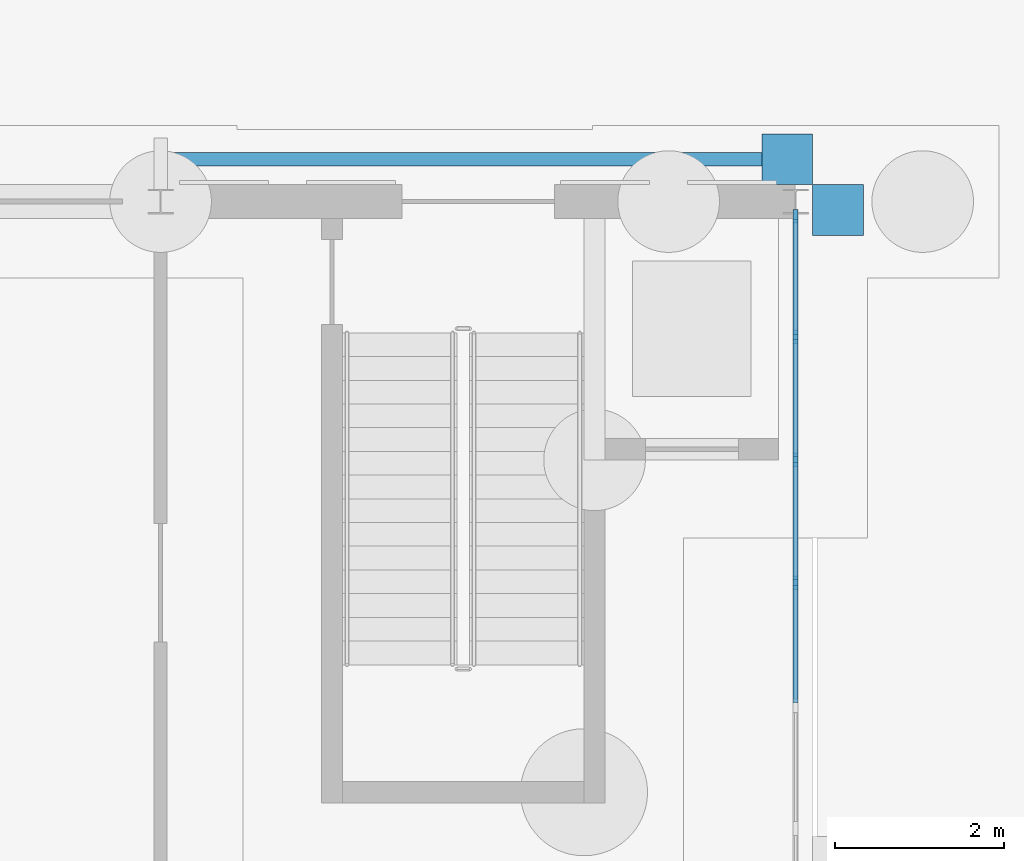
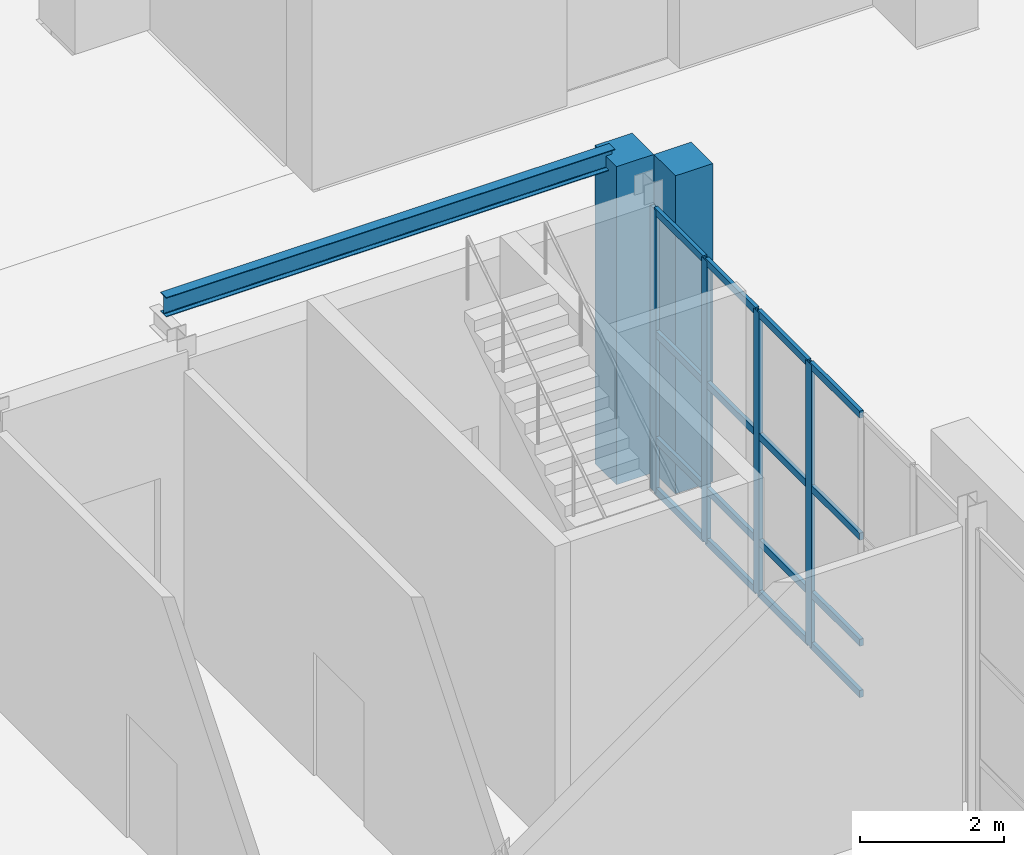
# One storey, part 63 of 168: 22 members, 1 beam, 1 element without a shape of its own.
"""IFC4 building model written with IfcOpenShell, lengths in metres."""

from ifc_helpers import new_model, si_unit, direction, frame, origin, origin_2d, place, context, subcontext, project, spatial, rectangle, i_section, extrude, material, layer, layer_set, material_profile, profile_set, type_object, element, aggregate, save


model = new_model("IFC4")

# Units and contexts
model_context = context("Model", 3, precision=1e-05, world=origin(), true_north=direction((0.0, 1.0)))
body_context = subcontext(model_context, "Body", "Model", "MODEL_VIEW")
ifc_project = project(units=[si_unit("LENGTHUNIT", "METRE"), si_unit("AREAUNIT", "SQUARE_METRE"), si_unit("VOLUMEUNIT", "CUBIC_METRE"), si_unit("PLANEANGLEUNIT", "RADIAN"), si_unit("MASSUNIT", "GRAM", prefix="KILO")], contexts=[model_context])

# Site, building, storey
site_placement = place(None, origin())
site = spatial("IfcSite", under=ifc_project, at=site_placement, CompositionType="ELEMENT")
building_placement = place(site_placement, origin())
building = spatial("IfcBuilding", under=site, at=building_placement, Name="Golden Quay Civic Hall", CompositionType="ELEMENT")
storey_placement = place(building_placement, origin())
storey = spatial("IfcBuildingStorey", under=building, at=storey_placement, Name="L00", CompositionType="ELEMENT", Elevation=0.0)

# Curtain wall, members
ifc_material_1 = material(Name="Glass, laminated double glazed", Category="glass")
ifc_layer = layer(ifc_material_1, 0.199951171875)
ifc_layer_set = layer_set([ifc_layer], Name="Glazed core strip curtain wall")
curtain_wall_type = type_object("IfcCurtainWallType", Name="Glazed core strip curtain wall", PredefinedType="NOTDEFINED", material=ifc_layer_set)
curtain_wall_placement = place(storey_placement, origin())
curtain_wall = element("IfcCurtainWall", 1, at=curtain_wall_placement, inside=storey, type_object=curtain_wall_type, Name="Glazed core strip curtain wall L00 12", PredefinedType="NOTDEFINED")
ifc_material_2 = material(Name="Aluminium, anodised", Category="aluminium")
ifc_material_profile_1 = material_profile(ifc_material_2, rectangle(XDim=0.06005859375, YDim=0.159912109375, at=origin_2d()), Name="Aluminium 60 x 160")
ifc_profile_set_1 = profile_set([ifc_material_profile_1], Name="Aluminium, anodised")
member_type_1 = type_object("IfcMemberType", Name="Aluminium mullion 60 x 160", PredefinedType="MULLION", material=ifc_profile_set_1)
member_1_placement = place(storey_placement, frame((117.0, 53.824951171875, 0.0), z_axis=(0.0, 0.0, 1.0), x_axis=(1.0, 0.0, 0.0)))
member_1 = element("IfcMember", 2, at=member_1_placement, type_object=member_type_1, Name="CW2 mullion 1", PredefinedType="MULLION", context=body_context, shape_type="SweptSolid", body=[
    extrude(rectangle(XDim=0.06005859375, YDim=0.159912109375, at=origin_2d()), origin(), (0.0, 0.0, 1.0), 4.800048828125),
])
member_2_placement = place(storey_placement, frame((117.0, 52.4033203125, 0.0), z_axis=(0.0, 0.0, 1.0), x_axis=(1.0, 0.0, 0.0)))
member_2 = element("IfcMember", 3, at=member_2_placement, type_object=member_type_1, Name="CW2 mullion 2", PredefinedType="MULLION", context=body_context, shape_type="SweptSolid", body=[
    extrude(rectangle(XDim=0.06005859375, YDim=0.159912109375, at=origin_2d()), origin(), (0.0, 0.0, 1.0), 4.800048828125),
])
member_3_placement = place(storey_placement, frame((117.0, 50.95166015625, 0.0), z_axis=(0.0, 0.0, 1.0), x_axis=(1.0, 0.0, 0.0)))
member_3 = element("IfcMember", 4, at=member_3_placement, type_object=member_type_1, Name="CW2 mullion 3", PredefinedType="MULLION", context=body_context, shape_type="SweptSolid", body=[
    extrude(rectangle(XDim=0.06005859375, YDim=0.159912109375, at=origin_2d()), origin(), (0.0, 0.0, 1.0), 4.800048828125),
])
member_4_placement = place(storey_placement, frame((117.0, 49.5, 0.0), z_axis=(0.0, 0.0, 1.0), x_axis=(1.0, 0.0, 0.0)))
member_4 = element("IfcMember", 5, at=member_4_placement, type_object=member_type_1, Name="CW2 mullion 4", PredefinedType="MULLION", context=body_context, shape_type="SweptSolid", body=[
    extrude(rectangle(XDim=0.06005859375, YDim=0.159912109375, at=origin_2d()), origin(), (0.0, 0.0, 1.0), 4.800048828125),
])
ifc_material_3 = material(Name="Aluminium, anodised", Category="aluminium")
ifc_material_profile_2 = material_profile(ifc_material_3, rectangle(XDim=0.06005859375, YDim=0.1201171875, at=origin_2d()), Name="Aluminium 60 x 120")
ifc_profile_set_2 = profile_set([ifc_material_profile_2], Name="Aluminium, anodised")
member_type_2 = type_object("IfcMemberType", Name="Aluminium transom 60 x 120", PredefinedType="USERDEFINED", material=ifc_profile_set_2)
member_5_placement = place(storey_placement, frame((117.0, 53.794921875, 0.030029296875), z_axis=(0.0, -1.0, 0.0), x_axis=(1.0, 0.0, 0.0)))
member_5 = element("IfcMember", 6, at=member_5_placement, type_object=member_type_2, Name="CW2 transom 1.1", ObjectType="TRANSOM", PredefinedType="USERDEFINED", context=body_context, shape_type="SweptSolid", body=[
    extrude(rectangle(XDim=0.06005859375, YDim=0.1201171875, at=origin_2d()), origin(), (0.0, 0.0, 1.0), 1.361572265625),
])
member_6_placement = place(storey_placement, frame((117.0, 53.794921875, 0.89990234375), z_axis=(0.0, -1.0, 0.0), x_axis=(1.0, 0.0, 0.0)))
member_6 = element("IfcMember", 7, at=member_6_placement, type_object=member_type_2, Name="CW2 transom 1.2", ObjectType="TRANSOM", PredefinedType="USERDEFINED", context=body_context, shape_type="SweptSolid", body=[
    extrude(rectangle(XDim=0.06005859375, YDim=0.1201171875, at=origin_2d()), origin(), (0.0, 0.0, 1.0), 1.361572265625),
])
member_7_placement = place(storey_placement, frame((117.0, 53.794921875, 2.699951171875), z_axis=(0.0, -1.0, 0.0), x_axis=(1.0, 0.0, 0.0)))
member_7 = element("IfcMember", 8, at=member_7_placement, type_object=member_type_2, Name="CW2 transom 1.3", ObjectType="TRANSOM", PredefinedType="USERDEFINED", context=body_context, shape_type="SweptSolid", body=[
    extrude(rectangle(XDim=0.06005859375, YDim=0.1201171875, at=origin_2d()), origin(), (0.0, 0.0, 1.0), 1.361572265625),
])
member_8_placement = place(storey_placement, frame((117.0, 53.794921875, 4.77001953125), z_axis=(0.0, -1.0, 0.0), x_axis=(1.0, 0.0, 0.0)))
member_8 = element("IfcMember", 9, at=member_8_placement, type_object=member_type_2, Name="CW2 transom 1.4", ObjectType="TRANSOM", PredefinedType="USERDEFINED", context=body_context, shape_type="SweptSolid", body=[
    extrude(rectangle(XDim=0.06005859375, YDim=0.1201171875, at=origin_2d()), origin(), (0.0, 0.0, 1.0), 1.361572265625),
])
member_9_placement = place(storey_placement, frame((117.0, 52.373291015625, 0.030029296875), z_axis=(0.0, -1.0, 0.0), x_axis=(1.0, 0.0, 0.0)))
member_9 = element("IfcMember", 10, at=member_9_placement, type_object=member_type_2, Name="CW2 transom 2.1", ObjectType="TRANSOM", PredefinedType="USERDEFINED", context=body_context, shape_type="SweptSolid", body=[
    extrude(rectangle(XDim=0.06005859375, YDim=0.1201171875, at=origin_2d()), origin(), (0.0, 0.0, 1.0), 1.3916015625),
])
member_10_placement = place(storey_placement, frame((117.0, 52.373291015625, 0.89990234375), z_axis=(0.0, -1.0, 0.0), x_axis=(1.0, 0.0, 0.0)))
member_10 = element("IfcMember", 11, at=member_10_placement, type_object=member_type_2, Name="CW2 transom 2.2", ObjectType="TRANSOM", PredefinedType="USERDEFINED", context=body_context, shape_type="SweptSolid", body=[
    extrude(rectangle(XDim=0.06005859375, YDim=0.1201171875, at=origin_2d()), origin(), (0.0, 0.0, 1.0), 1.3916015625),
])
member_11_placement = place(storey_placement, frame((117.0, 52.373291015625, 2.699951171875), z_axis=(0.0, -1.0, 0.0), x_axis=(1.0, 0.0, 0.0)))
member_11 = element("IfcMember", 12, at=member_11_placement, type_object=member_type_2, Name="CW2 transom 2.3", ObjectType="TRANSOM", PredefinedType="USERDEFINED", context=body_context, shape_type="SweptSolid", body=[
    extrude(rectangle(XDim=0.06005859375, YDim=0.1201171875, at=origin_2d()), origin(), (0.0, 0.0, 1.0), 1.3916015625),
])
member_12_placement = place(storey_placement, frame((117.0, 52.373291015625, 4.77001953125), z_axis=(0.0, -1.0, 0.0), x_axis=(1.0, 0.0, 0.0)))
member_12 = element("IfcMember", 13, at=member_12_placement, type_object=member_type_2, Name="CW2 transom 2.4", ObjectType="TRANSOM", PredefinedType="USERDEFINED", context=body_context, shape_type="SweptSolid", body=[
    extrude(rectangle(XDim=0.06005859375, YDim=0.1201171875, at=origin_2d()), origin(), (0.0, 0.0, 1.0), 1.3916015625),
])
member_13_placement = place(storey_placement, frame((117.0, 50.921630859375, 0.030029296875), z_axis=(0.0, -1.0, 0.0), x_axis=(1.0, 0.0, 0.0)))
member_13 = element("IfcMember", 14, at=member_13_placement, type_object=member_type_2, Name="CW2 transom 3.1", ObjectType="TRANSOM", PredefinedType="USERDEFINED", context=body_context, shape_type="SweptSolid", body=[
    extrude(rectangle(XDim=0.06005859375, YDim=0.1201171875, at=origin_2d()), origin(), (0.0, 0.0, 1.0), 1.3916015625),
])
member_14_placement = place(storey_placement, frame((117.0, 50.921630859375, 0.89990234375), z_axis=(0.0, -1.0, 0.0), x_axis=(1.0, 0.0, 0.0)))
member_14 = element("IfcMember", 15, at=member_14_placement, type_object=member_type_2, Name="CW2 transom 3.2", ObjectType="TRANSOM", PredefinedType="USERDEFINED", context=body_context, shape_type="SweptSolid", body=[
    extrude(rectangle(XDim=0.06005859375, YDim=0.1201171875, at=origin_2d()), origin(), (0.0, 0.0, 1.0), 1.3916015625),
])
member_15_placement = place(storey_placement, frame((117.0, 50.921630859375, 2.699951171875), z_axis=(0.0, -1.0, 0.0), x_axis=(1.0, 0.0, 0.0)))
member_15 = element("IfcMember", 16, at=member_15_placement, type_object=member_type_2, Name="CW2 transom 3.3", ObjectType="TRANSOM", PredefinedType="USERDEFINED", context=body_context, shape_type="SweptSolid", body=[
    extrude(rectangle(XDim=0.06005859375, YDim=0.1201171875, at=origin_2d()), origin(), (0.0, 0.0, 1.0), 1.3916015625),
])
member_16_placement = place(storey_placement, frame((117.0, 50.921630859375, 4.77001953125), z_axis=(0.0, -1.0, 0.0), x_axis=(1.0, 0.0, 0.0)))
member_16 = element("IfcMember", 17, at=member_16_placement, type_object=member_type_2, Name="CW2 transom 3.4", ObjectType="TRANSOM", PredefinedType="USERDEFINED", context=body_context, shape_type="SweptSolid", body=[
    extrude(rectangle(XDim=0.06005859375, YDim=0.1201171875, at=origin_2d()), origin(), (0.0, 0.0, 1.0), 1.3916015625),
])
member_17_placement = place(storey_placement, frame((117.0, 49.469970703125, 0.030029296875), z_axis=(0.0, -1.0, 0.0), x_axis=(1.0, 0.0, 0.0)))
member_17 = element("IfcMember", 18, at=member_17_placement, type_object=member_type_2, Name="CW2 transom 4.1", ObjectType="TRANSOM", PredefinedType="USERDEFINED", context=body_context, shape_type="SweptSolid", body=[
    extrude(rectangle(XDim=0.06005859375, YDim=0.1201171875, at=origin_2d()), origin(), (0.0, 0.0, 1.0), 1.3916015625),
])
member_18_placement = place(storey_placement, frame((117.0, 49.469970703125, 0.89990234375), z_axis=(0.0, -1.0, 0.0), x_axis=(1.0, 0.0, 0.0)))
member_18 = element("IfcMember", 19, at=member_18_placement, type_object=member_type_2, Name="CW2 transom 4.2", ObjectType="TRANSOM", PredefinedType="USERDEFINED", context=body_context, shape_type="SweptSolid", body=[
    extrude(rectangle(XDim=0.06005859375, YDim=0.1201171875, at=origin_2d()), origin(), (0.0, 0.0, 1.0), 1.3916015625),
])
member_19_placement = place(storey_placement, frame((117.0, 49.469970703125, 2.699951171875), z_axis=(0.0, -1.0, 0.0), x_axis=(1.0, 0.0, 0.0)))
member_19 = element("IfcMember", 20, at=member_19_placement, type_object=member_type_2, Name="CW2 transom 4.3", ObjectType="TRANSOM", PredefinedType="USERDEFINED", context=body_context, shape_type="SweptSolid", body=[
    extrude(rectangle(XDim=0.06005859375, YDim=0.1201171875, at=origin_2d()), origin(), (0.0, 0.0, 1.0), 1.3916015625),
])
member_20_placement = place(storey_placement, frame((117.0, 49.469970703125, 4.77001953125), z_axis=(0.0, -1.0, 0.0), x_axis=(1.0, 0.0, 0.0)))
member_20 = element("IfcMember", 21, at=member_20_placement, type_object=member_type_2, Name="CW2 transom 4.4", ObjectType="TRANSOM", PredefinedType="USERDEFINED", context=body_context, shape_type="SweptSolid", body=[
    extrude(rectangle(XDim=0.06005859375, YDim=0.1201171875, at=origin_2d()), origin(), (0.0, 0.0, 1.0), 1.3916015625),
])
aggregate(curtain_wall, [member_1, member_2, member_3, member_4, member_5, member_6, member_7, member_8, member_9, member_10, member_11, member_12, member_13, member_14, member_15, member_16, member_17, member_18, member_19, member_20])

# Members
ifc_material_4 = material(Name="Concrete C40/50", Category="concrete")
ifc_material_profile_3 = material_profile(ifc_material_4, rectangle(XDim=0.60009765625, YDim=0.60009765625, at=origin_2d()), Name="RC 600x600")
ifc_profile_set_3 = profile_set([ifc_material_profile_3], Name="Concrete C40/50")
member_type_3 = type_object("IfcMemberType", Name="Precast concrete facade post 600 x 600", PredefinedType="POST", material=ifc_profile_set_3)
for number, where, z_axis, x_axis, name in (
    (22, (116.89990234375, 54.5, 0.0), (0.0, 0.0, 1.0), (1.0, 0.0, 0.0), "Precast concrete facade post 600 x 600 L00 10"),
    (23, (117.5, 53.89990234375, 0.0), (0.0, 0.0, 1.0), (1.0, 0.0, 0.0), "Precast concrete facade post 600 x 600 L00 11"),
):
    element("IfcMember", number, at=place(storey_placement, frame(where, z_axis=z_axis, x_axis=x_axis)), inside=storey, type_object=member_type_3, Name=name, PredefinedType="POST", context=body_context, shape_type="SweptSolid", body=[
        extrude(rectangle(XDim=0.60009765625, YDim=0.60009765625, at=origin_2d()), origin(), (0.0, 0.0, 1.0), 5.39990234375),
    ])

# Beam
ifc_material_5 = material(Name="Steel S355", Category="steel")
ifc_material_profile_4 = material_profile(ifc_material_5, i_section(OverallWidth=0.159912109375, OverallDepth=0.330078125, WebThickness=0.007568359375, FlangeThickness=0.011474609375, FilletRadius=0.01806640625, at=origin_2d()), Name="IPE 330")
ifc_profile_set_4 = profile_set([ifc_material_profile_4], Name="Steel S355")
beam_type = type_object("IfcBeamType", Name="Steel pier plinth beam IPE 330", PredefinedType="BEAM", material=ifc_profile_set_4)
beam_placement = place(storey_placement, frame((109.5, 54.5, 5.364990234375), z_axis=(1.0, 0.0, 0.0), x_axis=(0.0, 1.0, 0.0)))
element("IfcBeam", 24, at=beam_placement, inside=storey, type_object=beam_type, Name="Steel pier plinth beam IPE 330 L00 3", PredefinedType="BEAM", context=body_context, shape_type="SweptSolid", body=[
    extrude(i_section(OverallWidth=0.159912109375, OverallDepth=0.330078125, WebThickness=0.007568359375, FlangeThickness=0.011474609375, FilletRadius=0.01806640625, at=origin_2d()), origin(), (0.0, 0.0, 1.0), 7.199951171875),
])

save(model, "model.ifc")
